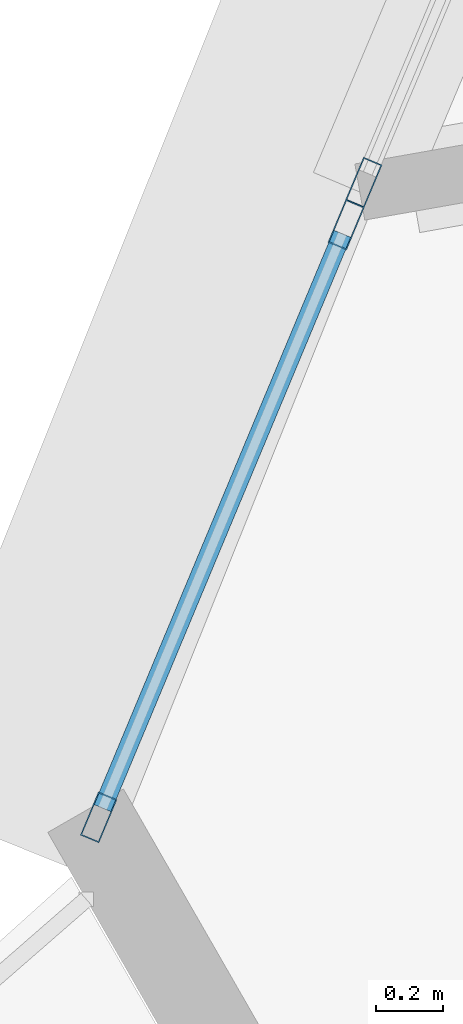
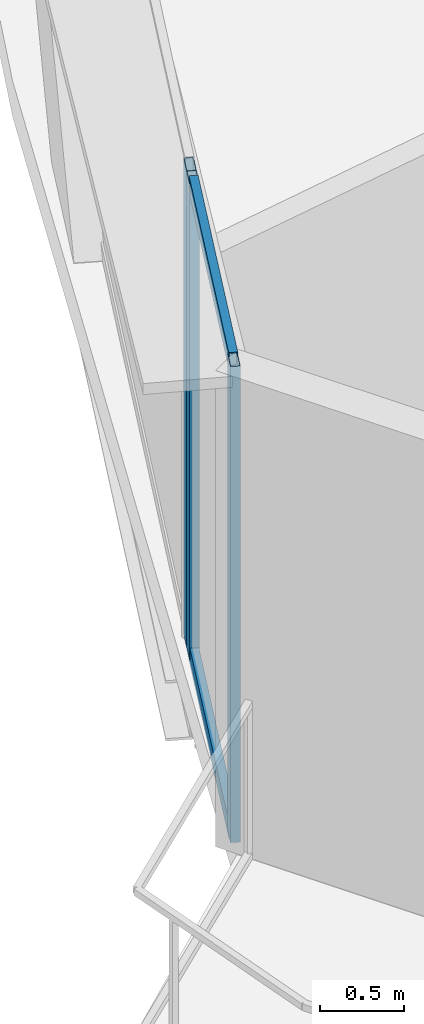
# One storey, part 4 of 34: 5 members, 2 elements without a shape of their own.
"""IFC4 building model written with IfcOpenShell, lengths in metres."""

import ifcopenshell
import ifcopenshell.guid

model = None  # the IFC model being written
_history = None  # IfcOwnerHistory: only IFC2X3 demands one
_inside = {}  # id of a spatial element -> (the spatial element, [elements in it])
_under = {}  # id of a project, library or spatial element -> (it, [spatial elements below it])
_declared = {}  # id of a project -> (the project, [libraries it declares])
_typed = {}  # id of a type object -> (the type object, [elements of that type])
_made_of = {}  # id of a material, layer set ... -> (it, [elements and type objects made of it])


def new_model(schema):
    """Start an empty IFC model of exactly this schema.

    Asked for "IFC4X3", IfcOpenShell would pick the latest addendum, in which some entities
    have other attributes; the version numbers below select the first issue.
    IFC2X3 requires an IfcOwnerHistory on every rooted entity: one is made here for all.
    """
    global model, _history
    if schema == "IFC4X3":
        model = ifcopenshell.file(schema_version=(4, 3, 0, 0))
    else:
        model = ifcopenshell.file(schema=schema)
    _inside.clear()
    _under.clear()
    _declared.clear()
    _typed.clear()
    _made_of.clear()
    _history = None
    if model.schema == "IFC2X3":
        org = make("IfcOrganization", Name="unknown")
        user = make(
            "IfcPersonAndOrganization",
            ThePerson=make("IfcPerson", FamilyName="unknown"),
            TheOrganization=org,
        )
        app = make(
            "IfcApplication",
            ApplicationDeveloper=org,
            Version="unknown",
            ApplicationFullName="unknown",
            ApplicationIdentifier="unknown",
        )
        _history = make(
            "IfcOwnerHistory",
            OwningUser=user,
            OwningApplication=app,
            ChangeAction="ADDED",
            CreationDate=0,
        )
    return model


def make(cls, **values):
    """One entity of the class cls with the attributes given. An attribute that is None is left unset."""
    return model.create_entity(
        cls, **{name: value for name, value in values.items() if value is not None}
    )


def rooted(cls, **values):
    """An entity with a GlobalId (a new one), such as an element, a storey or a relation."""
    return make(cls, GlobalId=ifcopenshell.guid.new(), OwnerHistory=_history, **values)


def si_unit(unit_type, name, prefix=None):
    """IfcSIUnit, for example si_unit("LENGTHUNIT", "METRE", prefix="MILLI")."""
    return make("IfcSIUnit", UnitType=unit_type, Prefix=prefix, Name=name)


def assignment(units):
    """IfcUnitAssignment: the units of a project."""
    return None if units is None else make("IfcUnitAssignment", Units=units)


def point(xyz):
    """IfcCartesianPoint."""
    return None if xyz is None else make("IfcCartesianPoint", Coordinates=xyz)


def direction(xyz):
    """IfcDirection."""
    return None if xyz is None else make("IfcDirection", DirectionRatios=xyz)


def frame(location, z_axis=None, x_axis=None):
    """IfcAxis2Placement3D, a coordinate frame: its origin and axes. An axis left out is left unset."""
    return make(
        "IfcAxis2Placement3D",
        Location=point(location),
        Axis=direction(z_axis),
        RefDirection=direction(x_axis),
    )


def frame_2d(location, x_axis=None):
    """IfcAxis2Placement2D, a coordinate frame in the plane: its origin and x axis."""
    return make(
        "IfcAxis2Placement2D", Location=point(location), RefDirection=direction(x_axis)
    )


def origin():
    """The frame at (0, 0, 0) with its axes left unset."""
    return frame((0.0, 0.0, 0.0))


def origin_2d():
    """The frame at (0, 0) in the plane with its x axis left unset."""
    return frame_2d((0.0, 0.0))


def place(relative_to, where):
    """IfcLocalPlacement: puts the frame where relative to a parent placement (None: the world)."""
    return make(
        "IfcLocalPlacement", PlacementRelTo=relative_to, RelativePlacement=where
    )


def context(
    kind, dimensions, precision=None, world=None, true_north=None, identifier=None
):
    """IfcGeometricRepresentationContext, for example the 3D "Model" context."""
    return make(
        "IfcGeometricRepresentationContext",
        ContextIdentifier=identifier,
        ContextType=kind,
        CoordinateSpaceDimension=dimensions,
        Precision=precision,
        WorldCoordinateSystem=world,
        TrueNorth=true_north,
    )


def subcontext(parent, identifier, kind, view, scale=None):
    """IfcGeometricRepresentationSubContext, for example "Body" below "Model"."""
    return make(
        "IfcGeometricRepresentationSubContext",
        ContextIdentifier=identifier,
        ContextType=kind,
        ParentContext=parent,
        TargetScale=scale,
        TargetView=view,
    )


def project(units=None, contexts=None):
    """IfcProject with its units and contexts."""
    return rooted(
        "IfcProject",
        Name="project",
        RepresentationContexts=contexts,
        UnitsInContext=assignment(units),
    )


def spatial(cls, under=None, at=None, **own):
    """A site, building, storey or space (cls), placed at a placement, below another one or the project."""
    s = rooted(cls, ObjectPlacement=at, **own)
    if under is not None:
        _under.setdefault(under.id(), (under, []))[1].append(s)
    return s


def profile(cls, at=None, kind="AREA", **sizes):
    """A parametric profile (cls). Its sizes go by their IFC names, for example OverallWidth=200.0."""
    return make(cls, ProfileType=kind, Position=at, **sizes)


def hollow_rectangle(**sizes):
    """IfcRectangleHollowProfileDef."""
    return profile("IfcRectangleHollowProfileDef", **sizes)


def extrude(swept, where, along, depth):
    """IfcExtrudedAreaSolid: the profile swept, set in the frame where, extruded along a direction by depth."""
    return make(
        "IfcExtrudedAreaSolid",
        SweptArea=swept,
        Position=where,
        ExtrudedDirection=direction(along),
        Depth=depth,
    )


def shape(context_of_items, identifier, shape_type, items):
    """IfcShapeRepresentation: the items that make up one representation, for example the "Body"."""
    return make(
        "IfcShapeRepresentation",
        ContextOfItems=context_of_items,
        RepresentationIdentifier=identifier,
        RepresentationType=shape_type,
        Items=items,
    )


def source(mapping_origin, context_of_items, identifier, shape_type, items):
    """IfcRepresentationMap: a shape defined once, which mapped items show again and again."""
    return make(
        "IfcRepresentationMap",
        MappingOrigin=mapping_origin,
        MappedRepresentation=shape(context_of_items, identifier, shape_type, items),
    )


def transform(
    local_origin,
    x_axis=None,
    y_axis=None,
    z_axis=None,
    scale=None,
    scale2=None,
    scale3=None,
    uniform=True,
):
    """IfcCartesianTransformationOperator3D, or its non-uniform kind. x_axis, y_axis, z_axis: its Axis1, 2, 3."""
    if uniform:
        return make(
            "IfcCartesianTransformationOperator3D",
            Axis1=direction(x_axis),
            Axis2=direction(y_axis),
            LocalOrigin=point(local_origin),
            Scale=scale,
            Axis3=direction(z_axis),
        )
    return make(
        "IfcCartesianTransformationOperator3DnonUniform",
        Axis1=direction(x_axis),
        Axis2=direction(y_axis),
        LocalOrigin=point(local_origin),
        Scale=scale,
        Axis3=direction(z_axis),
        Scale2=scale2,
        Scale3=scale3,
    )


def mapped(mapping_source, mapping_target):
    """IfcMappedItem: shows the shape of a source again, moved by a transform."""
    return make(
        "IfcMappedItem", MappingSource=mapping_source, MappingTarget=mapping_target
    )


def material(Name=None, Category=None):
    """IfcMaterial."""
    return make("IfcMaterial", Name=Name, Category=Category)


def layer(
    of_material, thickness, ventilated=None, Name=None, Category=None, Priority=None
):
    """IfcMaterialLayer: one layer of a wall or slab, of a material (None: an air gap)."""
    return make(
        "IfcMaterialLayer",
        Material=of_material,
        LayerThickness=thickness,
        IsVentilated=ventilated,
        Name=Name,
        Category=Category,
        Priority=Priority,
    )


def layer_set(layers, Name=None):
    """IfcMaterialLayerSet."""
    return make("IfcMaterialLayerSet", MaterialLayers=layers, LayerSetName=Name)


def material_profile(
    of_material, cross_section, Name=None, Category=None, Priority=None
):
    """IfcMaterialProfile: a cross section and its material."""
    return make(
        "IfcMaterialProfile",
        Name=Name,
        Material=of_material,
        Profile=cross_section,
        Priority=Priority,
        Category=Category,
    )


def profile_set(profiles, Name=None, composite=None):
    """IfcMaterialProfileSet."""
    return make(
        "IfcMaterialProfileSet",
        Name=Name,
        MaterialProfiles=profiles,
        CompositeProfile=composite,
    )


def made_of(thing, what):
    """Note that an element or type object is made of a material, layer set ...; save() writes the relation."""
    if what is not None:
        _made_of.setdefault(what.id(), (what, []))[1].append(thing)
    return thing


def type_object(cls, material=None, **own):
    """A type object (cls), such as IfcWallType, which elements share."""
    return made_of(rooted(cls, **own), material)


def element(
    cls,
    number,
    at=None,
    inside=None,
    cuts=None,
    type_object=None,
    material=None,
    context=None,
    identifier="Body",
    shape_type=None,
    held_by="IfcProductDefinitionShape",
    body=None,
    shapes=None,
    **own,
):
    """One element of the class cls, such as IfcWall. Its Tag is "e" and its number.

    at: its placement. inside: the storey or other place that contains it. cuts: it is an
    opening in that element (IfcRelVoidsElement). A single representation is given by context,
    identifier, shape_type and body (its items); several are given by shapes. held_by: the class
    of the entity that holds the representations. save() writes the other relations.
    """
    e = rooted(cls, Tag="e%d" % number, ObjectPlacement=at, **own)
    if body is not None:
        shapes = [shape(context, identifier, shape_type, body)]
    if shapes is not None:
        e.Representation = make(held_by, Representations=shapes)
    if inside is not None:
        _inside.setdefault(inside.id(), (inside, []))[1].append(e)
    if cuts is not None:
        rooted(
            "IfcRelVoidsElement", RelatingBuildingElement=cuts, RelatedOpeningElement=e
        )
    if type_object is not None:
        _typed.setdefault(type_object.id(), (type_object, []))[1].append(e)
    return made_of(e, material)


def aggregate(whole, parts):
    """IfcRelAggregates: a whole, such as a stair, and the parts it consists of."""
    return rooted("IfcRelAggregates", RelatingObject=whole, RelatedObjects=parts)


def save(model, path):
    """Write the relations noted so far, then the file.

    IfcRelAggregates (storeys below a building ...), IfcRelContainedInSpatialStructure (elements
    in a storey), IfcRelDefinesByType, IfcRelAssociatesMaterial and IfcRelDeclares: one each for
    every whole, place, type object, material and project.
    """
    for whole, parts in _under.values():
        aggregate(whole, parts)
    for where, things in _inside.values():
        rooted(
            "IfcRelContainedInSpatialStructure",
            RelatedElements=things,
            RelatingStructure=where,
        )
    for kind, things in _typed.values():
        rooted("IfcRelDefinesByType", RelatedObjects=things, RelatingType=kind)
    for what, things in _made_of.values():
        rooted("IfcRelAssociatesMaterial", RelatedObjects=things, RelatingMaterial=what)
    for by, libraries in _declared.values():
        rooted("IfcRelDeclares", RelatingContext=by, RelatedDefinitions=libraries)
    model.write(path)


model = new_model("IFC4")

# Units and contexts
model_context = context("Model", 3, precision=1e-05, world=origin(), true_north=direction((0.0, 1.0)))
body_context = subcontext(model_context, "Body", "Model", "MODEL_VIEW")
ifc_project = project(units=[si_unit("LENGTHUNIT", "METRE"), si_unit("AREAUNIT", "SQUARE_METRE"), si_unit("VOLUMEUNIT", "CUBIC_METRE"), si_unit("PLANEANGLEUNIT", "RADIAN"), si_unit("MASSUNIT", "GRAM", prefix="KILO"), si_unit("THERMODYNAMICTEMPERATUREUNIT", "KELVIN"), si_unit("POWERUNIT", "WATT")], contexts=[model_context])

# Site, building, storey
site_placement = place(None, origin())
site = spatial("IfcSite", under=ifc_project, at=site_placement, CompositionType="ELEMENT")
building_placement = place(site_placement, origin())
building = spatial("IfcBuilding", under=site, at=building_placement, Name="Yunzhuo Pagoda Commons", CompositionType="ELEMENT")
storey_placement = place(building_placement, frame((0.0, 0.0, 229.610107421875)))
storey = spatial("IfcBuildingStorey", under=building, at=storey_placement, Name="L57", CompositionType="ELEMENT", Elevation=229.610107421875)

# Curtain wall, member
ifc_material = material(Name="Anodized aluminium 6063-T6", Category="aluminium")
ifc_layer = layer(ifc_material, 0.139892578125)
ifc_layer_set = layer_set([ifc_layer], Name="Anodized aluminium 6063-T6")
curtain_wall_type = type_object("IfcCurtainWallType", Name="CW-HI High-Zone Ribbon Curtain Wall", PredefinedType="NOTDEFINED", material=ifc_layer_set)
curtain_wall_1_placement = place(storey_placement, origin())
curtain_wall_1 = element("IfcCurtainWall", 1, at=curtain_wall_1_placement, inside=storey, type_object=curtain_wall_type, Name="L57 curtain wall CW-L57-F3B4", PredefinedType="NOTDEFINED")
ifc_material_profile_1 = material_profile(ifc_material, hollow_rectangle(XDim=0.06005859375, YDim=0.139892578125, WallThickness=0.00341796875, at=origin_2d()), Name="Anodized aluminium 6063-T6")
ifc_profile_set_1 = profile_set([ifc_material_profile_1], Name="Anodized aluminium 6063-T6")
member_type_1 = type_object("IfcMemberType", Name="CW-HI-M Mullion RHS 140x60x3.5", PredefinedType="MULLION", material=ifc_profile_set_1)
shared_shape_1 = source(origin(), body_context, "Body", "SweptSolid", [
    extrude(hollow_rectangle(XDim=0.06005859375, YDim=0.139892578125, WallThickness=0.00341796875, at=origin_2d()), origin(), (0.0, 0.0, 1.0), 3.469970703125),
])
member_1_placement = place(storey_placement, frame((12.589111328125, 27.48193359375, 0.0), z_axis=(0.0, 0.0, 1.0), x_axis=(0.92158893956, -0.388167266112, 0.0)))
member_1 = element("IfcMember", 2, at=member_1_placement, type_object=member_type_1, Name="CW mullion 2", PredefinedType="MULLION", context=body_context, shape_type="MappedRepresentation", body=[
    mapped(shared_shape_1, transform((0.0, 0.0, 0.0), scale=1.0)),
])
aggregate(curtain_wall_1, [member_1])

# Curtain wall, members
curtain_wall_2_placement = place(storey_placement, origin())
curtain_wall_2 = element("IfcCurtainWall", 3, at=curtain_wall_2_placement, inside=storey, type_object=curtain_wall_type, Name="L57 curtain wall CW-L57-F3B5", PredefinedType="NOTDEFINED")
member_2_placement = place(storey_placement, frame((12.537109375, 27.357177734375, 0.0), z_axis=(0.0, 0.0, 1.0), x_axis=(0.922772675165, -0.385344767667, 0.0)))
member_2 = element("IfcMember", 4, at=member_2_placement, type_object=member_type_1, Name="CW mullion 1", PredefinedType="MULLION", context=body_context, shape_type="MappedRepresentation", body=[
    mapped(shared_shape_1, transform((0.0, 0.0, 0.0), scale=1.0)),
])
member_3_placement = place(storey_placement, frame((11.798828125, 25.589599609375, 0.0), z_axis=(0.0, 0.0, 1.0), x_axis=(0.922772675165, -0.385344767667, 0.0)))
member_3 = element("IfcMember", 5, at=member_3_placement, type_object=member_type_1, Name="CW mullion 2", PredefinedType="MULLION", context=body_context, shape_type="MappedRepresentation", body=[
    mapped(shared_shape_1, transform((0.0, 0.0, 0.0), scale=1.0)),
])
ifc_material_profile_2 = material_profile(ifc_material, hollow_rectangle(XDim=0.054931640625, YDim=0.1201171875, WallThickness=0.00341796875, at=origin_2d()), Name="Anodized aluminium 6063-T6")
ifc_profile_set_2 = profile_set([ifc_material_profile_2], Name="Anodized aluminium 6063-T6")
member_type_2 = type_object("IfcMemberType", Name="CW-HI-T Transom RHS 120x55x3.5", PredefinedType="USERDEFINED", material=ifc_profile_set_2)
shared_shape_2 = source(origin(), body_context, "Body", "SweptSolid", [
    extrude(hollow_rectangle(XDim=0.054931640625, YDim=0.1201171875, WallThickness=0.00341796875, at=origin_2d()), origin(), (0.0, 0.0, 1.0), 1.85595703125),
])
member_4_placement = place(storey_placement, frame((12.525390625, 27.32958984375, 0.02734375), z_axis=(-0.385297137482, -0.922792563823, 0.0), x_axis=(0.922792563823, -0.385297137482, 0.0)))
member_4 = element("IfcMember", 6, at=member_4_placement, type_object=member_type_2, Name="CW transom 1.1", ObjectType="TRANSOM", PredefinedType="USERDEFINED", context=body_context, shape_type="MappedRepresentation", body=[
    mapped(shared_shape_2, transform((0.0, 0.0, 0.0), scale=1.0)),
])
member_5_placement = place(storey_placement, frame((12.525390625, 27.32958984375, 3.4423828125), z_axis=(-0.385297137482, -0.922792563823, 0.0), x_axis=(0.922792563823, -0.385297137482, 0.0)))
member_5 = element("IfcMember", 7, at=member_5_placement, type_object=member_type_2, Name="CW transom 1.2", ObjectType="TRANSOM", PredefinedType="USERDEFINED", context=body_context, shape_type="MappedRepresentation", body=[
    mapped(shared_shape_2, transform((0.0, 0.0, 0.0), scale=1.0)),
])
aggregate(curtain_wall_2, [member_2, member_3, member_4, member_5])

save(model, "model.ifc")
